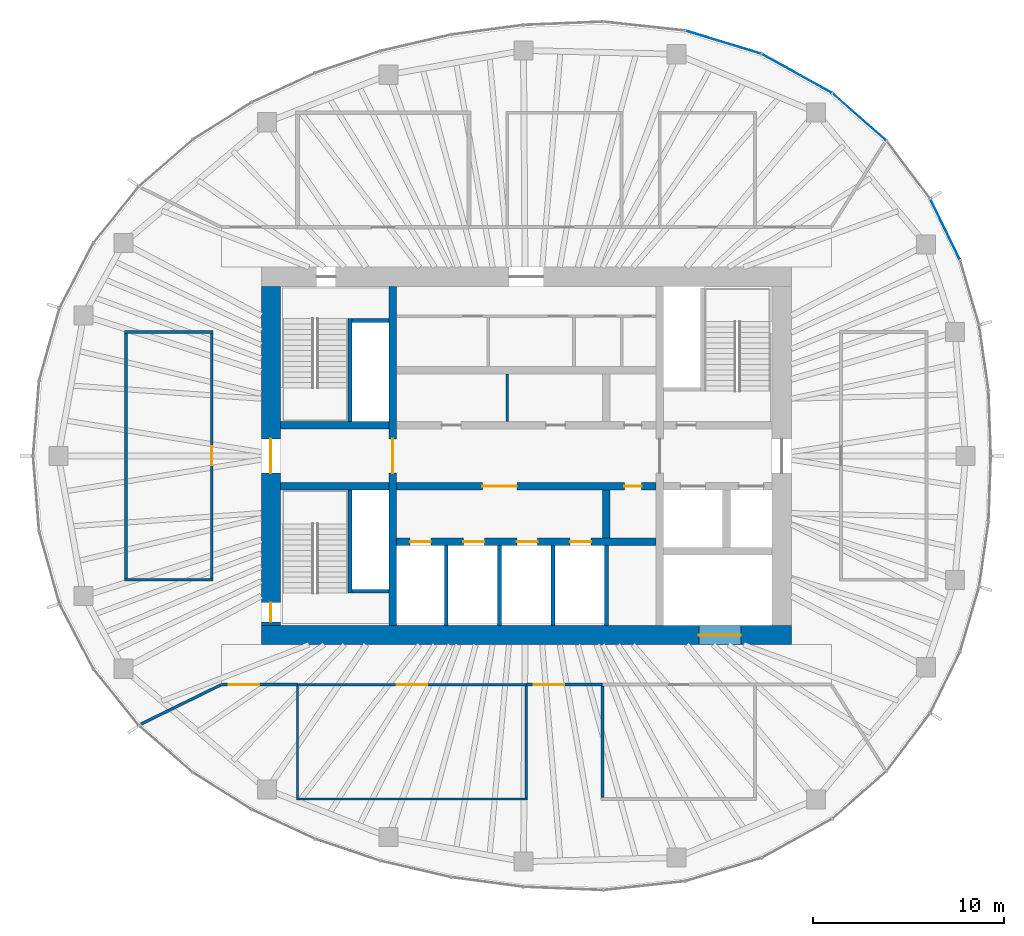
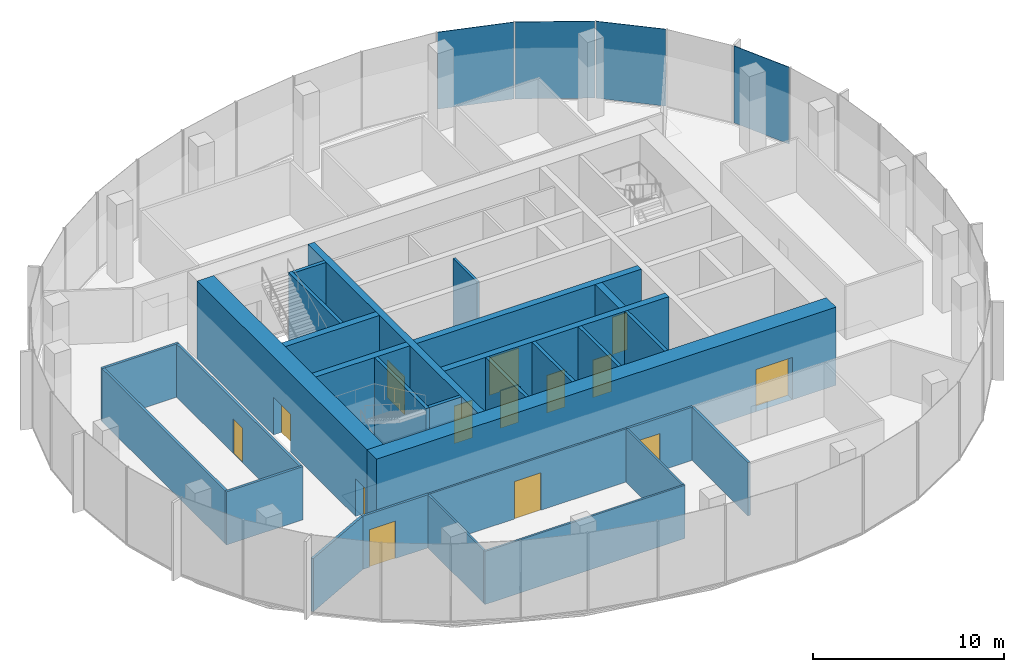
# One storey, part 8 of 11: 29 walls, 14 doors, 4 plates, 14 openings, 3 elements without a shape of their own.
"""IFC4 building model written with IfcOpenShell, lengths in metres."""

from ifc_helpers import new_model, si_unit, direction, frame, frame_2d, origin, origin_2d, place, context, subcontext, project, spatial, rectangle, extrude, material, layer, layer_set, type_object, element, fill, aggregate, save


model = new_model("IFC4")

# Units and contexts
model_context = context("Model", 3, precision=1e-05, world=origin(), true_north=direction((0.0, 1.0)))
body_context = subcontext(model_context, "Body", "Model", "MODEL_VIEW")
ifc_project = project(units=[si_unit("LENGTHUNIT", "METRE"), si_unit("AREAUNIT", "SQUARE_METRE"), si_unit("VOLUMEUNIT", "CUBIC_METRE"), si_unit("PLANEANGLEUNIT", "RADIAN"), si_unit("MASSUNIT", "GRAM", prefix="KILO")], contexts=[model_context])

# Site, building, storey
site_placement = place(None, origin())
site = spatial("IfcSite", under=ifc_project, at=site_placement, CompositionType="ELEMENT")
building_placement = place(site_placement, origin())
building = spatial("IfcBuilding", under=site, at=building_placement, Name="Ghaith Harvest Tower", CompositionType="ELEMENT")
storey_placement = place(building_placement, frame((0.0, 0.0, 334.199951171875)))
storey = spatial("IfcBuildingStorey", under=building, at=storey_placement, Name="L75", CompositionType="ELEMENT", Elevation=334.199951171875)

# Curtain wall, plate
ifc_material_1 = material(Name="Black anodised aluminium and fritted glass", Category="aluminium")
curtain_wall_type = type_object("IfcCurtainWallType", Name="CW-T CURTAIN WALL", PredefinedType="NOTDEFINED", material=ifc_material_1)
curtain_wall_1_placement = place(storey_placement, origin())
curtain_wall_1 = element("IfcCurtainWall", 1, at=curtain_wall_1_placement, inside=storey, type_object=curtain_wall_type, Name="Curtain wall CW-T bay 02 L75", PredefinedType="NOTDEFINED")
ifc_material_2 = material(Name="Glass, dark solar-control fritted double glazed unit", Category="glass")
ifc_layer_1 = layer(ifc_material_2, 0.033935546875)
ifc_layer_set_1 = layer_set([ifc_layer_1], Name="CW-T VISION PANEL")
plate_type = type_object("IfcPlateType", Name="CW-T VISION PANEL", PredefinedType="CURTAIN_PANEL", material=ifc_layer_set_1)
plate_1_placement = place(storey_placement, frame((21.9716796875, 11.878662109375, 0.080078125), z_axis=(0.0, 0.0, 1.0), x_axis=(-0.437968365148, 0.898990384337, 0.0)))
plate_1 = element("IfcPlate", 2, at=plate_1_placement, type_object=plate_type, Name="CW-T glass unit 2 bay 02 L75", PredefinedType="CURTAIN_PANEL", context=body_context, shape_type="SweptSolid", body=[
    extrude(rectangle(XDim=3.49365234375, YDim=0.033935546875, at=origin_2d()), origin(), (0.0, 0.0, 1.0), 4.919921875),
])
aggregate(curtain_wall_1, [plate_1])

curtain_wall_2_placement = place(storey_placement, origin())
curtain_wall_2 = element("IfcCurtainWall", 3, at=curtain_wall_2_placement, inside=storey, type_object=curtain_wall_type, Name="Curtain wall CW-T bay 03 L75", PredefinedType="NOTDEFINED")
plate_2_placement = place(storey_placement, frame((17.47509765625, 17.779541015625, 0.080078125), z_axis=(0.0, 0.0, 1.0), x_axis=(-0.751334532416, 0.659921525941, 0.0)))
plate_2 = element("IfcPlate", 4, at=plate_2_placement, type_object=plate_type, Name="CW-T glass unit 2 bay 03 L75", PredefinedType="CURTAIN_PANEL", context=body_context, shape_type="SweptSolid", body=[
    extrude(rectangle(XDim=3.7158203125, YDim=0.033935546875, at=origin_2d()), origin(), (0.0, 0.0, 1.0), 4.919921875),
])
aggregate(curtain_wall_2, [plate_2])

# Curtain wall, plates
curtain_wall_3_placement = place(storey_placement, origin())
curtain_wall_3 = element("IfcCurtainWall", 5, at=curtain_wall_3_placement, inside=storey, type_object=curtain_wall_type, Name="Curtain wall CW-T bay 04 L75", PredefinedType="NOTDEFINED")
plate_3_placement = place(storey_placement, frame((14.19189453125, 20.06201171875, 0.080078125), z_axis=(0.0, 0.0, 1.0), x_axis=(-0.87456402291, 0.484910063653, 0.0)))
plate_3 = element("IfcPlate", 6, at=plate_3_placement, type_object=plate_type, Name="CW-T glass unit 1 bay 04 L75", PredefinedType="CURTAIN_PANEL", context=body_context, shape_type="SweptSolid", body=[
    extrude(rectangle(XDim=4.167724609375, YDim=0.033935546875, at=origin_2d()), origin(), (0.0, 0.0, 1.0), 4.919921875),
])
plate_4_placement = place(storey_placement, frame((10.337158203125, 21.700439453125, 0.080078125), z_axis=(0.0, 0.0, 1.0), x_axis=(-0.956587736124, 0.291444511181, 0.0)))
plate_4 = element("IfcPlate", 7, at=plate_4_placement, type_object=plate_type, Name="CW-T glass unit 2 bay 04 L75", PredefinedType="CURTAIN_PANEL", context=body_context, shape_type="SweptSolid", body=[
    extrude(rectangle(XDim=4.095703125, YDim=0.033935546875, at=origin_2d()), origin(), (0.0, 0.0, 1.0), 4.919921875),
])
aggregate(curtain_wall_3, [plate_3, plate_4])

# Wall
ifc_material_3 = material(Name="Concrete blockwork, fair-faced", Category="masonry")
ifc_layer_2 = layer(ifc_material_3, 0.139892578125)
ifc_layer_set_2 = layer_set([ifc_layer_2], Name="CORE PARTITION 140")
wall_type_1 = type_object("IfcWallType", Name="CORE PARTITION 140", PredefinedType="PARTITIONING", material=ifc_layer_set_2)
wall_1_placement = place(storey_placement, frame((-1.0, 1.800048828125, 0.0), z_axis=(0.0, 0.0, 1.0), x_axis=(0.0, 1.0, 0.0)))
element("IfcWall", 8, at=wall_1_placement, inside=storey, type_object=wall_type_1, Name="Core partition L75", PredefinedType="PARTITIONING", context=body_context, shape_type="SweptSolid", body=[
    extrude(rectangle(XDim=2.5, YDim=0.139892578125, at=frame_2d((1.25, 0.0))), origin(), (0.0, 0.0, 1.0), 4.75),
])

# Wall, opening, door
ifc_material_4 = material(Name="Concrete C50/60", Category="concrete")
ifc_layer_3 = layer(ifc_material_4, 1.0)
ifc_layer_set_3 = layer_set([ifc_layer_3], Name="CORE WALL CW1000")
wall_type_2 = type_object("IfcWallType", Name="CORE WALL CW1000", PredefinedType="SHEAR", material=ifc_layer_set_3)
wall_2_placement = place(storey_placement, frame((-13.89990234375, -9.39990234375, 0.0), z_axis=(0.0, 0.0, 1.0), x_axis=(1.0, 0.0, 0.0)))
wall_2 = element("IfcWall", 9, at=wall_2_placement, inside=storey, type_object=wall_type_2, Name="Core wall S L75", PredefinedType="SHEAR", context=body_context, shape_type="SweptSolid", body=[
    extrude(rectangle(XDim=27.7998046875, YDim=1.0, at=frame_2d((13.89990234375, 0.0))), origin(), (0.0, 0.0, 1.0), 5.0),
])
opening_1_placement = place(wall_2_placement, frame((22.949951171875, 0.0, 0.0)))
opening_1 = element("IfcOpeningElement", 10, at=opening_1_placement, cuts=wall_2, Name="Opening 75-024", PredefinedType="OPENING", context=body_context, shape_type="SweptSolid", body=[
    extrude(rectangle(XDim=2.199951171875, YDim=2.699951171875, at=frame_2d((1.10009765625, 1.35009765625))), frame((0.0, 0.510009765625, 0.0), z_axis=(0.0, -1.0, 0.0), x_axis=(1.0, 0.0, 0.0)), (0.0, 0.0, 1.0), 1.02001953125),
])
ifc_material_5 = material(Name="Steel fire door", Category="steel")
door_type_1 = type_object("IfcDoorType", Name="LD3 LANDING 2200x2700", OperationType="DOUBLE_DOOR_SLIDING", PredefinedType="DOOR", material=ifc_material_5)
door_1_placement = place(opening_1_placement, origin())
door_1 = element("IfcDoor", 11, at=door_1_placement, inside=storey, type_object=door_type_1, Name="Landing door, goods lift GL1", OperationType="DOUBLE_DOOR_SLIDING", OverallHeight=2.699951171875, OverallWidth=2.199951171875, PredefinedType="DOOR", context=body_context, shape_type="SweptSolid", body=[
    extrude(rectangle(XDim=2.199951171875, YDim=2.699951171875, at=frame_2d((1.10009765625, 1.35009765625))), frame((0.0, 0.02490234375, 0.0), z_axis=(0.0, -1.0, 0.0), x_axis=(1.0, 0.0, 0.0)), (0.0, 0.0, 1.0), 0.050048828125),
])
fill(opening_1, door_1)

# Wall, openings, doors
wall_3_placement = place(storey_placement, frame((-13.39990234375, 8.89990234375, 0.0), z_axis=(0.0, 0.0, 1.0), x_axis=(0.0, -1.0, 0.0)))
wall_3 = element("IfcWall", 12, at=wall_3_placement, inside=storey, type_object=wall_type_2, Name="Core wall W L75", PredefinedType="SHEAR", context=body_context, shape_type="SweptSolid", body=[
    extrude(rectangle(XDim=17.7998046875, YDim=1.0, at=frame_2d((8.89990234375, 0.0))), origin(), (0.0, 0.0, 1.0), 5.0),
])
opening_2_placement = place(wall_3_placement, frame((8.0, 0.0, 0.0)))
opening_2 = element("IfcOpeningElement", 13, at=opening_2_placement, cuts=wall_3, Name="Opening 75-001", PredefinedType="OPENING", context=body_context, shape_type="SweptSolid", body=[
    extrude(rectangle(XDim=1.800048828125, YDim=2.39990234375, at=frame_2d((0.89990234375, 1.199951171875))), frame((0.0, 0.510009765625, 0.0), z_axis=(0.0, -1.0, 0.0), x_axis=(1.0, 0.0, 0.0)), (0.0, 0.0, 1.0), 1.02001953125),
])
opening_3_placement = place(wall_3_placement, frame((16.60009765625, 0.0, 0.0)))
opening_3 = element("IfcOpeningElement", 14, at=opening_3_placement, cuts=wall_3, Name="Opening 75-006", PredefinedType="OPENING", context=body_context, shape_type="SweptSolid", body=[
    extrude(rectangle(XDim=1.0, YDim=2.39990234375, at=frame_2d((0.5, 1.199951171875))), frame((0.0, 0.510009765625, 0.0), z_axis=(0.0, -1.0, 0.0), x_axis=(1.0, 0.0, 0.0)), (0.0, 0.0, 1.0), 1.02001953125),
])
ifc_material_6 = material(Name="Steel fire door", Category="steel")
door_type_2 = type_object("IfcDoorType", Name="D3 FD90 1000x2400", OperationType="SINGLE_SWING_LEFT", PredefinedType="DOOR", material=ifc_material_6)
door_2_placement = place(opening_3_placement, origin())
door_2 = element("IfcDoor", 15, at=door_2_placement, inside=storey, type_object=door_type_2, Name="Stair ST3 door", OperationType="SINGLE_SWING_RIGHT", OverallHeight=2.39990234375, OverallWidth=1.0, PredefinedType="DOOR", context=body_context, shape_type="SweptSolid", body=[
    extrude(rectangle(XDim=1.0, YDim=2.39990234375, at=frame_2d((0.5, 1.199951171875))), frame((0.0, 0.02490234375, 0.0), z_axis=(0.0, -1.0, 0.0), x_axis=(1.0, 0.0, 0.0)), (0.0, 0.0, 1.0), 0.050048828125),
])
fill(opening_3, door_2)
ifc_material_7 = material(Name="Steel fire door", Category="steel")
door_type_3 = type_object("IfcDoorType", Name="D4 FD90 PAIR 1800x2400", OperationType="DOUBLE_DOOR_SINGLE_SWING", PredefinedType="DOOR", material=ifc_material_7)
door_3_placement = place(opening_2_placement, origin())
door_3 = element("IfcDoor", 16, at=door_3_placement, inside=storey, type_object=door_type_3, Name="West lobby doors", OperationType="DOUBLE_DOOR_SINGLE_SWING", OverallHeight=2.39990234375, OverallWidth=1.800048828125, PredefinedType="DOOR", context=body_context, shape_type="SweptSolid", body=[
    extrude(rectangle(XDim=1.800048828125, YDim=2.39990234375, at=frame_2d((0.89990234375, 1.199951171875))), frame((0.0, 0.02490234375, 0.0), z_axis=(0.0, -1.0, 0.0), x_axis=(1.0, 0.0, 0.0)), (0.0, 0.0, 1.0), 0.050048828125),
])
fill(opening_2, door_3)

# Wall
ifc_material_8 = material(Name="Insulated food-grade panel", Category="steel")
ifc_layer_4 = layer(ifc_material_8, 0.1201171875)
ifc_layer_set_4 = layer_set([ifc_layer_4], Name="INSULATED PANEL WALL 120")
wall_type_3 = type_object("IfcWallType", Name="INSULATED PANEL WALL 120", PredefinedType="PARTITIONING", material=ifc_layer_set_4)
wall_4_placement = place(storey_placement, frame((-12.06005859375, -18.0, 0.0), z_axis=(0.0, 0.0, 1.0), x_axis=(1.0, 0.0, 0.0)))
element("IfcWall", 17, at=wall_4_placement, inside=storey, type_object=wall_type_3, Name="Partition L75-04", PredefinedType="PARTITIONING", context=body_context, shape_type="SweptSolid", body=[
    extrude(rectangle(XDim=12.1201171875, YDim=0.1201171875, at=frame_2d((6.06005859375, 0.0))), origin(), (0.0, 0.0, 1.0), 3.400146484375),
])

# Wall, opening, door
wall_5_placement = place(storey_placement, frame((-12.06005859375, -12.0, 0.0), z_axis=(0.0, 0.0, 1.0), x_axis=(1.0, 0.0, 0.0)))
wall_5 = element("IfcWall", 18, at=wall_5_placement, inside=storey, type_object=wall_type_3, Name="Partition L75-04", PredefinedType="PARTITIONING", context=body_context, shape_type="SweptSolid", body=[
    extrude(rectangle(XDim=12.1201171875, YDim=0.1201171875, at=frame_2d((6.06005859375, 0.0))), origin(), (0.0, 0.0, 1.0), 3.400146484375),
])
opening_4_placement = place(wall_5_placement, frame((5.260009765625, 0.0, 0.0)))
opening_4 = element("IfcOpeningElement", 19, at=opening_4_placement, cuts=wall_5, Name="Opening 75-028", PredefinedType="OPENING", context=body_context, shape_type="SweptSolid", body=[
    extrude(rectangle(XDim=1.60009765625, YDim=2.39990234375, at=frame_2d((0.800048828125, 1.199951171875))), frame((0.0, 0.070068359375, 0.0), z_axis=(0.0, -1.0, 0.0), x_axis=(1.0, 0.0, 0.0)), (0.0, 0.0, 1.0), 0.14013671875),
])
ifc_material_9 = material(Name="Timber door", Category="wood")
door_type_4 = type_object("IfcDoorType", Name="D2 PAIR 1600x2400", OperationType="DOUBLE_DOOR_SINGLE_SWING", PredefinedType="DOOR", material=ifc_material_9)
door_4_placement = place(opening_4_placement, origin())
door_4 = element("IfcDoor", 20, at=door_4_placement, inside=storey, type_object=door_type_4, Name="Cold store door", OperationType="DOUBLE_DOOR_SINGLE_SWING", OverallHeight=2.39990234375, OverallWidth=1.60009765625, PredefinedType="DOOR", context=body_context, shape_type="SweptSolid", body=[
    extrude(rectangle(XDim=1.60009765625, YDim=2.39990234375, at=frame_2d((0.800048828125, 1.199951171875))), frame((0.0, 0.02490234375, 0.0), z_axis=(0.0, -1.0, 0.0), x_axis=(1.0, 0.0, 0.0)), (0.0, 0.0, 1.0), 0.050048828125),
])
fill(opening_4, door_4)

# Walls
for number, where, z_axis, x_axis, name in (
    (21, (-12.0, -17.93994140625, 0.0), (0.0, 0.0, 1.0), (0.0, 1.0, 0.0), "Partition L75-04"),
    (22, (0.0, -17.93994140625, 0.0), (0.0, 0.0, 1.0), (0.0, 1.0, 0.0), "Partition L75-04"),
):
    element("IfcWall", number, at=place(storey_placement, frame(where, z_axis=z_axis, x_axis=x_axis)), inside=storey, type_object=wall_type_3, Name=name, PredefinedType="PARTITIONING", context=body_context, shape_type="SweptSolid", body=[
        extrude(rectangle(XDim=5.8798828125, YDim=0.1201171875, at=frame_2d((2.93994140625, 0.0))), origin(), (0.0, 0.0, 1.0), 3.400146484375),
    ])
ifc_material_10 = material(Name="Concrete blockwork, 2-hour", Category="masonry")
ifc_layer_5 = layer(ifc_material_10, 0.199951171875)
ifc_layer_set_5 = layer_set([ifc_layer_5], Name="LIFT SHAFT WALL 200")
wall_type_4 = type_object("IfcWallType", Name="LIFT SHAFT WALL 200", PredefinedType="PARTITIONING", material=ifc_layer_set_5)
for number, where, z_axis, x_axis, name in (
    (23, (-4.199951171875, -4.699951171875, 0.0), (0.0, 0.0, 1.0), (0.0, -1.0, 0.0), "Lift shaft wall L75"),
    (24, (-1.39990234375, -4.699951171875, 0.0), (0.0, 0.0, 1.0), (0.0, -1.0, 0.0), "Lift shaft wall L75"),
    (25, (1.39990234375, -4.699951171875, 0.0), (0.0, 0.0, 1.0), (0.0, -1.0, 0.0), "Lift shaft wall L75"),
    (26, (4.199951171875, -4.699951171875, 0.0), (0.0, 0.0, 1.0), (0.0, -1.0, 0.0), "Lift shaft wall L75"),
):
    element("IfcWall", number, at=place(storey_placement, frame(where, z_axis=z_axis, x_axis=x_axis)), inside=storey, type_object=wall_type_4, Name=name, PredefinedType="PARTITIONING", context=body_context, shape_type="SweptSolid", body=[
        extrude(rectangle(XDim=4.199951171875, YDim=0.199951171875, at=frame_2d((2.10009765625, 0.0))), origin(), (0.0, 0.0, 1.0), 5.0),
    ])
ifc_material_11 = material(Name="Gypsum board on steel studs", Category="steel")
ifc_layer_6 = layer(ifc_material_11, 0.14990234375)
ifc_layer_set_6 = layer_set([ifc_layer_6], Name="PARTITION 150")
wall_type_5 = type_object("IfcWallType", Name="PARTITION 150", PredefinedType="PARTITIONING", material=ifc_layer_set_6)
wall_6_placement = place(storey_placement, frame((-16.017822265625, -12.0087890625, 0.0), z_axis=(0.0, 0.0, 1.0), x_axis=(-0.897771840996, -0.440460805879, 0.0)))
element("IfcWall", 27, at=wall_6_placement, inside=storey, type_object=wall_type_5, Name="Partition L75 zone division", PredefinedType="PARTITIONING", context=body_context, shape_type="SweptSolid", body=[
    extrude(rectangle(XDim=4.66552734375, YDim=0.14990234375, at=frame_2d((2.332763671875, 0.0))), origin(), (0.0, 0.0, 1.0), 3.400146484375),
])

# Wall, opening, door
wall_7_placement = place(storey_placement, frame((-16.0, -12.0, 0.0), z_axis=(0.0, 0.0, 1.0), x_axis=(1.0, 0.0, 0.0)))
wall_7 = element("IfcWall", 28, at=wall_7_placement, inside=storey, type_object=wall_type_5, Name="Partition L75 zone enclosure", PredefinedType="PARTITIONING", context=body_context, shape_type="SweptSolid", body=[
    extrude(rectangle(XDim=4.0, YDim=0.14990234375, at=frame_2d((2.0, 0.0))), origin(), (0.0, 0.0, 1.0), 3.400146484375),
])
opening_5_placement = place(wall_7_placement, frame((0.39990234375, 0.0, 0.0)))
opening_5 = element("IfcOpeningElement", 29, at=opening_5_placement, cuts=wall_7, Name="Opening 75-035", PredefinedType="OPENING", context=body_context, shape_type="SweptSolid", body=[
    extrude(rectangle(XDim=1.60009765625, YDim=2.39990234375, at=frame_2d((0.800048828125, 1.199951171875))), frame((0.0, 0.0849609375, 0.0), z_axis=(0.0, -1.0, 0.0), x_axis=(1.0, 0.0, 0.0)), (0.0, 0.0, 1.0), 0.169921875),
])
door_5_placement = place(opening_5_placement, origin())
door_5 = element("IfcDoor", 30, at=door_5_placement, inside=storey, type_object=door_type_4, Name="Hot kitchen south door", OperationType="DOUBLE_DOOR_SINGLE_SWING", OverallHeight=2.39990234375, OverallWidth=1.60009765625, PredefinedType="DOOR", context=body_context, shape_type="SweptSolid", body=[
    extrude(rectangle(XDim=1.60009765625, YDim=2.39990234375, at=frame_2d((0.800048828125, 1.199951171875))), frame((0.0, 0.02490234375, 0.0), z_axis=(0.0, -1.0, 0.0), x_axis=(1.0, 0.0, 0.0)), (0.0, 0.0, 1.0), 0.050048828125),
])
fill(opening_5, door_5)

wall_8_placement = place(storey_placement, frame((0.0, -12.0, 0.0), z_axis=(0.0, 0.0, 1.0), x_axis=(1.0, 0.0, 0.0)))
wall_8 = element("IfcWall", 31, at=wall_8_placement, inside=storey, type_object=wall_type_5, Name="Partition L75 zone enclosure", PredefinedType="PARTITIONING", context=body_context, shape_type="SweptSolid", body=[
    extrude(rectangle(XDim=4.0, YDim=0.14990234375, at=frame_2d((2.0, 0.0))), origin(), (0.0, 0.0, 1.0), 3.400146484375),
])
opening_6_placement = place(wall_8_placement, frame((0.39990234375, 0.0, 0.0)))
opening_6 = element("IfcOpeningElement", 32, at=opening_6_placement, cuts=wall_8, Name="Opening 75-034", PredefinedType="OPENING", context=body_context, shape_type="SweptSolid", body=[
    extrude(rectangle(XDim=1.60009765625, YDim=2.39990234375, at=frame_2d((0.800048828125, 1.199951171875))), frame((0.0, 0.0849609375, 0.0), z_axis=(0.0, -1.0, 0.0), x_axis=(1.0, 0.0, 0.0)), (0.0, 0.0, 1.0), 0.169921875),
])
door_6_placement = place(opening_6_placement, origin())
door_6 = element("IfcDoor", 33, at=door_6_placement, inside=storey, type_object=door_type_4, Name="Hot kitchen south door", OperationType="DOUBLE_DOOR_SINGLE_SWING", OverallHeight=2.39990234375, OverallWidth=1.60009765625, PredefinedType="DOOR", context=body_context, shape_type="SweptSolid", body=[
    extrude(rectangle(XDim=1.60009765625, YDim=2.39990234375, at=frame_2d((0.800048828125, 1.199951171875))), frame((0.0, 0.02490234375, 0.0), z_axis=(0.0, -1.0, 0.0), x_axis=(1.0, 0.0, 0.0)), (0.0, 0.0, 1.0), 0.050048828125),
])
fill(opening_6, door_6)

# Walls
wall_9_placement = place(storey_placement, frame((4.0, -17.925048828125, 0.0), z_axis=(0.0, 0.0, 1.0), x_axis=(0.0, 1.0, 0.0)))
element("IfcWall", 34, at=wall_9_placement, inside=storey, type_object=wall_type_5, Name="Partition L75-05", PredefinedType="PARTITIONING", context=body_context, shape_type="SweptSolid", body=[
    extrude(rectangle(XDim=5.85009765625, YDim=0.14990234375, at=frame_2d((2.925048828125, 0.0))), origin(), (0.0, 0.0, 1.0), 3.400146484375),
])
for number, where, z_axis, x_axis, name in (
    (35, (-21.074951171875, -6.5, 0.0), (0.0, 0.0, 1.0), (1.0, 0.0, 0.0), "Partition L75-06"),
    (36, (-21.074951171875, 6.5, 0.0), (0.0, 0.0, 1.0), (1.0, 0.0, 0.0), "Partition L75-06"),
):
    element("IfcWall", number, at=place(storey_placement, frame(where, z_axis=z_axis, x_axis=x_axis)), inside=storey, type_object=wall_type_5, Name=name, PredefinedType="PARTITIONING", context=body_context, shape_type="SweptSolid", body=[
        extrude(rectangle(XDim=4.64990234375, YDim=0.14990234375, at=frame_2d((2.324951171875, 0.0))), origin(), (0.0, 0.0, 1.0), 3.400146484375),
    ])
wall_10_placement = place(storey_placement, frame((-21.0, -6.425048828125, 0.0), z_axis=(0.0, 0.0, 1.0), x_axis=(0.0, 1.0, 0.0)))
element("IfcWall", 37, at=wall_10_placement, inside=storey, type_object=wall_type_5, Name="Partition L75-06", PredefinedType="PARTITIONING", context=body_context, shape_type="SweptSolid", body=[
    extrude(rectangle(XDim=12.85009765625, YDim=0.14990234375, at=frame_2d((6.425048828125, 0.0))), origin(), (0.0, 0.0, 1.0), 3.400146484375),
])

# Wall, opening, door
wall_11_placement = place(storey_placement, frame((-16.5, -6.425048828125, 0.0), z_axis=(0.0, 0.0, 1.0), x_axis=(0.0, 1.0, 0.0)))
wall_11 = element("IfcWall", 38, at=wall_11_placement, inside=storey, type_object=wall_type_5, Name="Partition L75-06", PredefinedType="PARTITIONING", context=body_context, shape_type="SweptSolid", body=[
    extrude(rectangle(XDim=12.85009765625, YDim=0.14990234375, at=frame_2d((6.425048828125, 0.0))), origin(), (0.0, 0.0, 1.0), 3.400146484375),
])
opening_7_placement = place(wall_11_placement, frame((5.925048828125, 0.0, 0.0)))
opening_7 = element("IfcOpeningElement", 39, at=opening_7_placement, cuts=wall_11, Name="Opening 75-030", PredefinedType="OPENING", context=body_context, shape_type="SweptSolid", body=[
    extrude(rectangle(XDim=1.0, YDim=2.199951171875, at=frame_2d((0.5, 1.10009765625))), frame((0.0, 0.0849609375, 0.0), z_axis=(0.0, -1.0, 0.0), x_axis=(1.0, 0.0, 0.0)), (0.0, 0.0, 1.0), 0.169921875),
])
ifc_material_12 = material(Name="Timber door", Category="wood")
door_type_5 = type_object("IfcDoorType", Name="D1 SINGLE 1000x2200", OperationType="SINGLE_SWING_LEFT", PredefinedType="DOOR", material=ifc_material_12)
door_7_placement = place(opening_7_placement, origin())
door_7 = element("IfcDoor", 40, at=door_7_placement, inside=storey, type_object=door_type_5, Name="Linen store door", OperationType="SINGLE_SWING_LEFT", OverallHeight=2.199951171875, OverallWidth=1.0, PredefinedType="DOOR", context=body_context, shape_type="SweptSolid", body=[
    extrude(rectangle(XDim=1.0, YDim=2.199951171875, at=frame_2d((0.5, 1.10009765625))), frame((0.0, 0.02490234375, 0.0), z_axis=(0.0, -1.0, 0.0), x_axis=(1.0, 0.0, 0.0)), (0.0, 0.0, 1.0), 0.050048828125),
])
fill(opening_7, door_7)

ifc_material_13 = material(Name="Concrete C70/85", Category="concrete")
ifc_layer_7 = layer(ifc_material_13, 0.39990234375)
ifc_layer_set_7 = layer_set([ifc_layer_7], Name="SHAFT WALL 400")
wall_type_6 = type_object("IfcWallType", Name="SHAFT WALL 400", PredefinedType="SHEAR", material=ifc_layer_set_7)
wall_12_placement = place(storey_placement, frame((-7.0, -8.89990234375, 0.0), z_axis=(0.0, 0.0, 1.0), x_axis=(0.0, 1.0, 0.0)))
wall_12 = element("IfcWall", 41, at=wall_12_placement, inside=storey, type_object=wall_type_6, Name="Shaft wall W7W L75", PredefinedType="SHEAR", context=body_context, shape_type="SweptSolid", body=[
    extrude(rectangle(XDim=17.7998046875, YDim=0.39990234375, at=frame_2d((8.89990234375, 0.0))), origin(), (0.0, 0.0, 1.0), 5.0),
])
opening_8_placement = place(wall_12_placement, frame((8.0, 0.0, 0.0)))
opening_8 = element("IfcOpeningElement", 42, at=opening_8_placement, cuts=wall_12, Name="Opening 75-003", PredefinedType="OPENING", context=body_context, shape_type="SweptSolid", body=[
    extrude(rectangle(XDim=1.800048828125, YDim=2.39990234375, at=frame_2d((0.89990234375, 1.199951171875))), frame((0.0, 0.2099609375, 0.0), z_axis=(0.0, -1.0, 0.0), x_axis=(1.0, 0.0, 0.0)), (0.0, 0.0, 1.0), 0.419921875),
])
door_8_placement = place(opening_8_placement, origin())
door_8 = element("IfcDoor", 43, at=door_8_placement, inside=storey, type_object=door_type_3, Name="Lift lobby doors, west", OperationType="DOUBLE_DOOR_SINGLE_SWING", OverallHeight=2.39990234375, OverallWidth=1.800048828125, PredefinedType="DOOR", context=body_context, shape_type="SweptSolid", body=[
    extrude(rectangle(XDim=1.800048828125, YDim=2.39990234375, at=frame_2d((0.89990234375, 1.199951171875))), frame((0.0, 0.02490234375, 0.0), z_axis=(0.0, -1.0, 0.0), x_axis=(1.0, 0.0, 0.0)), (0.0, 0.0, 1.0), 0.050048828125),
])
fill(opening_8, door_8)

# Wall, openings, doors
wall_13_placement = place(storey_placement, frame((-6.800048828125, -1.60009765625, 0.0), z_axis=(0.0, 0.0, 1.0), x_axis=(1.0, 0.0, 0.0)))
wall_13 = element("IfcWall", 44, at=wall_13_placement, inside=storey, type_object=wall_type_6, Name="Shaft wall LS L75", PredefinedType="SHEAR", context=body_context, shape_type="SweptSolid", body=[
    extrude(rectangle(XDim=13.60009765625, YDim=0.39990234375, at=frame_2d((6.800048828125, 0.0))), origin(), (0.0, 0.0, 1.0), 5.0),
])
opening_9_placement = place(wall_13_placement, frame((11.949951171875, 0.0, 0.0)))
opening_9 = element("IfcOpeningElement", 45, at=opening_9_placement, cuts=wall_13, Name="Opening 75-015", PredefinedType="OPENING", context=body_context, shape_type="SweptSolid", body=[
    extrude(rectangle(XDim=0.89990234375, YDim=2.39990234375, at=frame_2d((0.449951171875, 1.199951171875))), frame((0.0, 0.2099609375, 0.0), z_axis=(0.0, -1.0, 0.0), x_axis=(1.0, 0.0, 0.0)), (0.0, 0.0, 1.0), 0.419921875),
])
opening_10_placement = place(wall_13_placement, frame((4.5, 0.0, 0.0)))
opening_10 = element("IfcOpeningElement", 46, at=opening_10_placement, cuts=wall_13, Name="Opening 75-016", PredefinedType="OPENING", context=body_context, shape_type="SweptSolid", body=[
    extrude(rectangle(XDim=1.800048828125, YDim=2.39990234375, at=frame_2d((0.89990234375, 1.199951171875))), frame((0.0, 0.2099609375, 0.0), z_axis=(0.0, -1.0, 0.0), x_axis=(1.0, 0.0, 0.0)), (0.0, 0.0, 1.0), 0.419921875),
])
door_9_placement = place(opening_10_placement, origin())
door_9 = element("IfcDoor", 47, at=door_9_placement, inside=storey, type_object=door_type_3, Name="Lift lobby doors, upper-zone bank", OperationType="DOUBLE_DOOR_SINGLE_SWING", OverallHeight=2.39990234375, OverallWidth=1.800048828125, PredefinedType="DOOR", context=body_context, shape_type="SweptSolid", body=[
    extrude(rectangle(XDim=1.800048828125, YDim=2.39990234375, at=frame_2d((0.89990234375, 1.199951171875))), frame((0.0, 0.02490234375, 0.0), z_axis=(0.0, -1.0, 0.0), x_axis=(1.0, 0.0, 0.0)), (0.0, 0.0, 1.0), 0.050048828125),
])
fill(opening_10, door_9)
ifc_material_14 = material(Name="Steel fire door", Category="steel")
door_type_6 = type_object("IfcDoorType", Name="D5 FD90 900x2400", OperationType="SINGLE_SWING_LEFT", PredefinedType="DOOR", material=ifc_material_14)
door_10_placement = place(opening_9_placement, origin())
door_10 = element("IfcDoor", 48, at=door_10_placement, inside=storey, type_object=door_type_6, Name="Lobby store door", OperationType="SINGLE_SWING_RIGHT", OverallHeight=2.39990234375, OverallWidth=0.89990234375, PredefinedType="DOOR", context=body_context, shape_type="SweptSolid", body=[
    extrude(rectangle(XDim=0.89990234375, YDim=2.39990234375, at=frame_2d((0.449951171875, 1.199951171875))), frame((0.0, 0.02490234375, 0.0), z_axis=(0.0, -1.0, 0.0), x_axis=(1.0, 0.0, 0.0)), (0.0, 0.0, 1.0), 0.050048828125),
])
fill(opening_9, door_10)

wall_14_placement = place(storey_placement, frame((-6.800048828125, -4.5, 0.0), z_axis=(0.0, 0.0, 1.0), x_axis=(1.0, 0.0, 0.0)))
wall_14 = element("IfcWall", 49, at=wall_14_placement, inside=storey, type_object=wall_type_6, Name="Shaft wall BS L75", PredefinedType="SHEAR", context=body_context, shape_type="SweptSolid", body=[
    extrude(rectangle(XDim=13.60009765625, YDim=0.39990234375, at=frame_2d((6.800048828125, 0.0))), origin(), (0.0, 0.0, 1.0), 5.0),
])
opening_11_placement = place(wall_14_placement, frame((0.699951171875, 0.0, 0.0)))
opening_11 = element("IfcOpeningElement", 50, at=opening_11_placement, cuts=wall_14, Name="Opening 75-018", PredefinedType="OPENING", context=body_context, shape_type="SweptSolid", body=[
    extrude(rectangle(XDim=1.10009765625, YDim=2.39990234375, at=frame_2d((0.550048828125, 1.199951171875))), frame((0.0, 0.2099609375, 0.0), z_axis=(0.0, -1.0, 0.0), x_axis=(1.0, 0.0, 0.0)), (0.0, 0.0, 1.0), 0.419921875),
])
opening_12_placement = place(wall_14_placement, frame((3.5, 0.0, 0.0)))
opening_12 = element("IfcOpeningElement", 51, at=opening_12_placement, cuts=wall_14, Name="Opening 75-019", PredefinedType="OPENING", context=body_context, shape_type="SweptSolid", body=[
    extrude(rectangle(XDim=1.10009765625, YDim=2.39990234375, at=frame_2d((0.550048828125, 1.199951171875))), frame((0.0, 0.2099609375, 0.0), z_axis=(0.0, -1.0, 0.0), x_axis=(1.0, 0.0, 0.0)), (0.0, 0.0, 1.0), 0.419921875),
])
opening_13_placement = place(wall_14_placement, frame((6.300048828125, 0.0, 0.0)))
opening_13 = element("IfcOpeningElement", 52, at=opening_13_placement, cuts=wall_14, Name="Opening 75-020", PredefinedType="OPENING", context=body_context, shape_type="SweptSolid", body=[
    extrude(rectangle(XDim=1.10009765625, YDim=2.39990234375, at=frame_2d((0.550048828125, 1.199951171875))), frame((0.0, 0.2099609375, 0.0), z_axis=(0.0, -1.0, 0.0), x_axis=(1.0, 0.0, 0.0)), (0.0, 0.0, 1.0), 0.419921875),
])
opening_14_placement = place(wall_14_placement, frame((9.10009765625, 0.0, 0.0)))
opening_14 = element("IfcOpeningElement", 53, at=opening_14_placement, cuts=wall_14, Name="Opening 75-021", PredefinedType="OPENING", context=body_context, shape_type="SweptSolid", body=[
    extrude(rectangle(XDim=1.10009765625, YDim=2.39990234375, at=frame_2d((0.550048828125, 1.199951171875))), frame((0.0, 0.2099609375, 0.0), z_axis=(0.0, -1.0, 0.0), x_axis=(1.0, 0.0, 0.0)), (0.0, 0.0, 1.0), 0.419921875),
])
ifc_material_15 = material(Name="Steel fire door", Category="steel")
door_type_7 = type_object("IfcDoorType", Name="LD1 LANDING 1100x2400", OperationType="DOUBLE_DOOR_SLIDING", PredefinedType="DOOR", material=ifc_material_15)
door_11_placement = place(opening_11_placement, origin())
door_11 = element("IfcDoor", 54, at=door_11_placement, inside=storey, type_object=door_type_7, Name="Landing door, lift TR1", OperationType="DOUBLE_DOOR_SLIDING", OverallHeight=2.39990234375, OverallWidth=1.10009765625, PredefinedType="DOOR", context=body_context, shape_type="SweptSolid", body=[
    extrude(rectangle(XDim=1.10009765625, YDim=2.39990234375, at=frame_2d((0.550048828125, 1.199951171875))), frame((0.0, 0.02490234375, 0.0), z_axis=(0.0, -1.0, 0.0), x_axis=(1.0, 0.0, 0.0)), (0.0, 0.0, 1.0), 0.050048828125),
])
fill(opening_11, door_11)
door_12_placement = place(opening_12_placement, origin())
door_12 = element("IfcDoor", 55, at=door_12_placement, inside=storey, type_object=door_type_7, Name="Landing door, lift TR2", OperationType="DOUBLE_DOOR_SLIDING", OverallHeight=2.39990234375, OverallWidth=1.10009765625, PredefinedType="DOOR", context=body_context, shape_type="SweptSolid", body=[
    extrude(rectangle(XDim=1.10009765625, YDim=2.39990234375, at=frame_2d((0.550048828125, 1.199951171875))), frame((0.0, 0.02490234375, 0.0), z_axis=(0.0, -1.0, 0.0), x_axis=(1.0, 0.0, 0.0)), (0.0, 0.0, 1.0), 0.050048828125),
])
fill(opening_12, door_12)
door_13_placement = place(opening_13_placement, origin())
door_13 = element("IfcDoor", 56, at=door_13_placement, inside=storey, type_object=door_type_7, Name="Landing door, lift TR3", OperationType="DOUBLE_DOOR_SLIDING", OverallHeight=2.39990234375, OverallWidth=1.10009765625, PredefinedType="DOOR", context=body_context, shape_type="SweptSolid", body=[
    extrude(rectangle(XDim=1.10009765625, YDim=2.39990234375, at=frame_2d((0.550048828125, 1.199951171875))), frame((0.0, 0.02490234375, 0.0), z_axis=(0.0, -1.0, 0.0), x_axis=(1.0, 0.0, 0.0)), (0.0, 0.0, 1.0), 0.050048828125),
])
fill(opening_13, door_13)
door_14_placement = place(opening_14_placement, origin())
door_14 = element("IfcDoor", 57, at=door_14_placement, inside=storey, type_object=door_type_7, Name="Landing door, lift TR4", OperationType="DOUBLE_DOOR_SLIDING", OverallHeight=2.39990234375, OverallWidth=1.10009765625, PredefinedType="DOOR", context=body_context, shape_type="SweptSolid", body=[
    extrude(rectangle(XDim=1.10009765625, YDim=2.39990234375, at=frame_2d((0.550048828125, 1.199951171875))), frame((0.0, 0.02490234375, 0.0), z_axis=(0.0, -1.0, 0.0), x_axis=(1.0, 0.0, 0.0)), (0.0, 0.0, 1.0), 0.050048828125),
])
fill(opening_14, door_14)

# Walls
for number, where, z_axis, x_axis, name in (
    (58, (-12.89990234375, 1.60009765625, 0.0), (0.0, 0.0, 1.0), (1.0, 0.0, 0.0), "Shaft wall WN L75"),
    (59, (-12.89990234375, -1.60009765625, 0.0), (0.0, 0.0, 1.0), (1.0, 0.0, 0.0), "Shaft wall WS L75"),
):
    element("IfcWall", number, at=place(storey_placement, frame(where, z_axis=z_axis, x_axis=x_axis)), inside=storey, type_object=wall_type_6, Name=name, PredefinedType="SHEAR", context=body_context, shape_type="SweptSolid", body=[
        extrude(rectangle(XDim=5.699951171875, YDim=0.39990234375, at=frame_2d((2.85009765625, 0.0))), origin(), (0.0, 0.0, 1.0), 5.0),
    ])
wall_15_placement = place(storey_placement, frame((4.199951171875, -4.300048828125, 0.0), z_axis=(0.0, 0.0, 1.0), x_axis=(0.0, 1.0, 0.0)))
element("IfcWall", 60, at=wall_15_placement, inside=storey, type_object=wall_type_6, Name="Shaft wall DS4 L75", PredefinedType="SHEAR", context=body_context, shape_type="SweptSolid", body=[
    extrude(rectangle(XDim=2.5, YDim=0.39990234375, at=frame_2d((1.25, 0.0))), origin(), (0.0, 0.0, 1.0), 5.0),
])
ifc_material_16 = material(Name="Concrete C40/50", Category="concrete")
ifc_layer_8 = layer(ifc_material_16, 0.199951171875)
ifc_layer_set_8 = layer_set([ifc_layer_8], Name="STAIR SPINE WALL RC200")
wall_type_7 = type_object("IfcWallType", Name="STAIR SPINE WALL RC200", PredefinedType="SOLIDWALL", material=ifc_layer_set_8)
wall_16_placement = place(storey_placement, frame((-9.25, 7.199951171875, 0.0), z_axis=(0.0, 0.0, 1.0), x_axis=(0.0, -1.0, 0.0)))
element("IfcWall", 61, at=wall_16_placement, inside=storey, type_object=wall_type_7, Name="Stair ST1 spine wall L75", PredefinedType="SOLIDWALL", context=body_context, shape_type="SweptSolid", body=[
    extrude(rectangle(XDim=5.39990234375, YDim=0.199951171875, at=frame_2d((2.699951171875, 0.0))), origin(), (0.0, 0.0, 1.0), 5.0),
])
wall_17_placement = place(storey_placement, frame((-9.14990234375, 7.10009765625, 0.0), z_axis=(0.0, 0.0, 1.0), x_axis=(1.0, 0.0, 0.0)))
element("IfcWall", 62, at=wall_17_placement, inside=storey, type_object=wall_type_7, Name="Stair ST1 spine wall return L75", PredefinedType="SOLIDWALL", context=body_context, shape_type="SweptSolid", body=[
    extrude(rectangle(XDim=1.949951171875, YDim=0.199951171875, at=frame_2d((0.97509765625, 0.0))), origin(), (0.0, 0.0, 1.0), 5.0),
])
wall_18_placement = place(storey_placement, frame((-9.25, -7.199951171875, 0.0), z_axis=(0.0, 0.0, 1.0), x_axis=(0.0, 1.0, 0.0)))
element("IfcWall", 63, at=wall_18_placement, inside=storey, type_object=wall_type_7, Name="Stair ST3 spine wall L75", PredefinedType="SOLIDWALL", context=body_context, shape_type="SweptSolid", body=[
    extrude(rectangle(XDim=5.39990234375, YDim=0.199951171875, at=frame_2d((2.699951171875, 0.0))), origin(), (0.0, 0.0, 1.0), 5.0),
])
wall_19_placement = place(storey_placement, frame((-9.14990234375, -7.10009765625, 0.0), z_axis=(0.0, 0.0, 1.0), x_axis=(1.0, 0.0, 0.0)))
element("IfcWall", 64, at=wall_19_placement, inside=storey, type_object=wall_type_7, Name="Stair ST3 spine wall return L75", PredefinedType="SOLIDWALL", context=body_context, shape_type="SweptSolid", body=[
    extrude(rectangle(XDim=1.949951171875, YDim=0.199951171875, at=frame_2d((0.97509765625, 0.0))), origin(), (0.0, 0.0, 1.0), 5.0),
])

save(model, "model.ifc")
